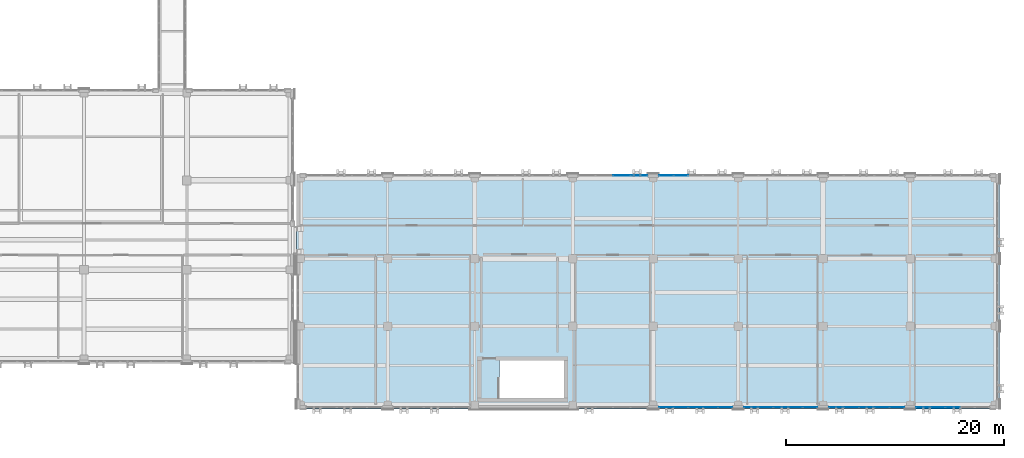
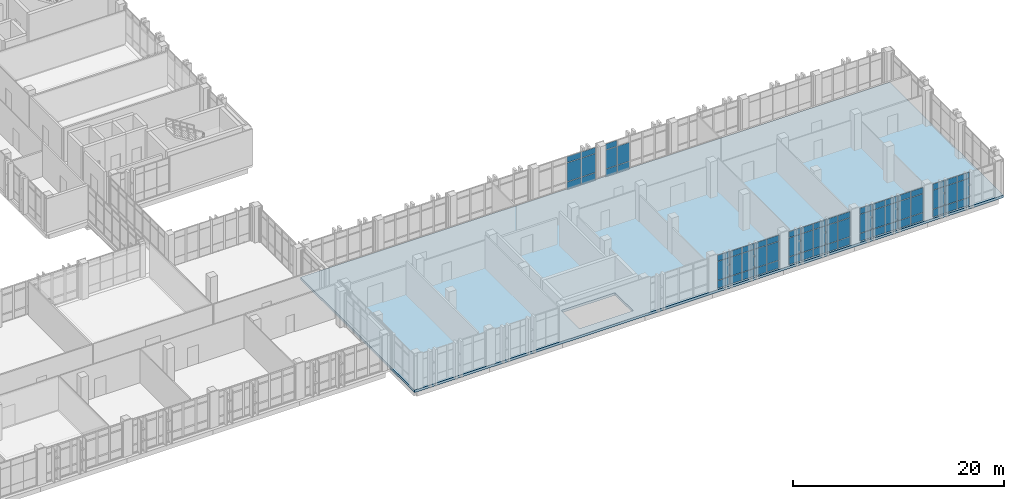
# One storey, part 150 of 193: 65 plates, 1 slab, 6 elements without a shape of their own.
"""IFC4 building model written with IfcOpenShell, lengths in metres."""

from ifc_helpers import new_model, si_unit, direction, frame, origin, origin_2d, place, context, subcontext, project, spatial, polyline, rectangle, outline, extrude, material, layer, layer_set, type_object, element, aggregate, save


model = new_model("IFC4")

# Units and contexts
model_context = context("Model", 3, precision=1e-05, world=origin(), true_north=direction((0.0, 1.0)))
body_context = subcontext(model_context, "Body", "Model", "MODEL_VIEW")
ifc_project = project(units=[si_unit("LENGTHUNIT", "METRE"), si_unit("AREAUNIT", "SQUARE_METRE"), si_unit("VOLUMEUNIT", "CUBIC_METRE"), si_unit("PLANEANGLEUNIT", "RADIAN"), si_unit("MASSUNIT", "GRAM", prefix="KILO")], contexts=[model_context])

# Site, building, storey
site_placement = place(None, origin())
site = spatial("IfcSite", under=ifc_project, at=site_placement, CompositionType="ELEMENT")
building_placement = place(site_placement, origin())
building = spatial("IfcBuilding", under=site, at=building_placement, Name="Qalavern Law Courts", CompositionType="ELEMENT")
storey_placement = place(building_placement, frame((0.0, 0.0, 10.199951171875)))
storey = spatial("IfcBuildingStorey", under=building, at=storey_placement, Name="L02", CompositionType="ELEMENT", Elevation=10.199951171875)

# Curtain wall, plates
ifc_material_1 = material(Name="Anodised aluminium and insulated glazing", Category="aluminium")
ifc_layer_1 = layer(ifc_material_1, 0.172119140625)
ifc_layer_set_1 = layer_set([ifc_layer_1], Name="Anodised aluminium and insulated glazing")
curtain_wall_type = type_object("IfcCurtainWallType", Name="ENV-CW-COURT", PredefinedType="USERDEFINED", material=ifc_layer_set_1)
curtain_wall_1_placement = place(storey_placement, origin())
curtain_wall_1 = element("IfcCurtainWall", 1, at=curtain_wall_1_placement, inside=storey, type_object=curtain_wall_type, Name="V6 unitised curtain wall L02 south 4", ObjectType="UNITISED CURTAIN WALL", PredefinedType="USERDEFINED")
ifc_material_2 = material(Name="Insulated low-E acoustic glazing", Category="glass")
ifc_layer_2 = layer(ifc_material_2, 0.028076171875)
ifc_layer_set_2 = layer_set([ifc_layer_2], Name="Insulated low-E acoustic glazing")
plate_type_1 = type_object("IfcPlateType", Name="ENV-CWP-28", PredefinedType="CURTAIN_PANEL", material=ifc_layer_set_2)
plate_1_placement = place(storey_placement, frame((135.39208984375, 1.155029296875, 0.048095703125), z_axis=(0.0, 0.0, 1.0), x_axis=(1.0, 0.0, 0.0)))
plate_1 = element("IfcPlate", 2, at=plate_1_placement, type_object=plate_type_1, Name="CW-03 panel 1.1", PredefinedType="CURTAIN_PANEL", context=body_context, shape_type="SweptSolid", body=[
    extrude(rectangle(XDim=1.2880859375, YDim=0.028076171875, at=origin_2d()), origin(), (0.0, 0.0, 1.0), 0.8779296875),
])
plate_2_placement = place(storey_placement, frame((135.39208984375, 1.155029296875, 0.97412109375), z_axis=(0.0, 0.0, 1.0), x_axis=(1.0, 0.0, 0.0)))
plate_2 = element("IfcPlate", 3, at=plate_2_placement, type_object=plate_type_1, Name="CW-03 panel 1.2", PredefinedType="CURTAIN_PANEL", context=body_context, shape_type="SweptSolid", body=[
    extrude(rectangle(XDim=1.2880859375, YDim=0.028076171875, at=origin_2d()), origin(), (0.0, 0.0, 1.0), 2.1669921875),
])
plate_3_placement = place(storey_placement, frame((135.39208984375, 1.155029296875, 3.18896484375), z_axis=(0.0, 0.0, 1.0), x_axis=(1.0, 0.0, 0.0)))
plate_3 = element("IfcPlate", 4, at=plate_3_placement, type_object=plate_type_1, Name="CW-03 panel 1.3", PredefinedType="CURTAIN_PANEL", context=body_context, shape_type="SweptSolid", body=[
    extrude(rectangle(XDim=1.2880859375, YDim=0.028076171875, at=origin_2d()), origin(), (0.0, 0.0, 1.0), 0.677978515625),
])
plate_4_placement = place(storey_placement, frame((136.739990234375, 1.155029296875, 0.048095703125), z_axis=(0.0, 0.0, 1.0), x_axis=(1.0, 0.0, 0.0)))
plate_4 = element("IfcPlate", 5, at=plate_4_placement, type_object=plate_type_1, Name="CW-03 panel 2.1", PredefinedType="CURTAIN_PANEL", context=body_context, shape_type="SweptSolid", body=[
    extrude(rectangle(XDim=1.31201171875, YDim=0.028076171875, at=origin_2d()), origin(), (0.0, 0.0, 1.0), 0.8779296875),
])
plate_5_placement = place(storey_placement, frame((136.739990234375, 1.155029296875, 0.97412109375), z_axis=(0.0, 0.0, 1.0), x_axis=(1.0, 0.0, 0.0)))
plate_5 = element("IfcPlate", 6, at=plate_5_placement, type_object=plate_type_1, Name="CW-03 panel 2.2", PredefinedType="CURTAIN_PANEL", context=body_context, shape_type="SweptSolid", body=[
    extrude(rectangle(XDim=1.31201171875, YDim=0.028076171875, at=origin_2d()), origin(), (0.0, 0.0, 1.0), 2.1669921875),
])
plate_6_placement = place(storey_placement, frame((136.739990234375, 1.155029296875, 3.18896484375), z_axis=(0.0, 0.0, 1.0), x_axis=(1.0, 0.0, 0.0)))
plate_6 = element("IfcPlate", 7, at=plate_6_placement, type_object=plate_type_1, Name="CW-03 panel 2.3", PredefinedType="CURTAIN_PANEL", context=body_context, shape_type="SweptSolid", body=[
    extrude(rectangle(XDim=1.31201171875, YDim=0.028076171875, at=origin_2d()), origin(), (0.0, 0.0, 1.0), 0.677978515625),
])
plate_7_placement = place(storey_placement, frame((138.10009765625, 1.155029296875, 0.048095703125), z_axis=(0.0, 0.0, 1.0), x_axis=(1.0, 0.0, 0.0)))
plate_7 = element("IfcPlate", 8, at=plate_7_placement, type_object=plate_type_1, Name="CW-03 panel 3.1", PredefinedType="CURTAIN_PANEL", context=body_context, shape_type="SweptSolid", body=[
    extrude(rectangle(XDim=1.31201171875, YDim=0.028076171875, at=origin_2d()), origin(), (0.0, 0.0, 1.0), 0.8779296875),
])
plate_8_placement = place(storey_placement, frame((138.10009765625, 1.155029296875, 0.97412109375), z_axis=(0.0, 0.0, 1.0), x_axis=(1.0, 0.0, 0.0)))
plate_8 = element("IfcPlate", 9, at=plate_8_placement, type_object=plate_type_1, Name="CW-03 panel 3.2", PredefinedType="CURTAIN_PANEL", context=body_context, shape_type="SweptSolid", body=[
    extrude(rectangle(XDim=1.31201171875, YDim=0.028076171875, at=origin_2d()), origin(), (0.0, 0.0, 1.0), 2.1669921875),
])
plate_9_placement = place(storey_placement, frame((138.10009765625, 1.155029296875, 3.18896484375), z_axis=(0.0, 0.0, 1.0), x_axis=(1.0, 0.0, 0.0)))
plate_9 = element("IfcPlate", 10, at=plate_9_placement, type_object=plate_type_1, Name="CW-03 panel 3.3", PredefinedType="CURTAIN_PANEL", context=body_context, shape_type="SweptSolid", body=[
    extrude(rectangle(XDim=1.31201171875, YDim=0.028076171875, at=origin_2d()), origin(), (0.0, 0.0, 1.0), 0.677978515625),
])
plate_10_placement = place(storey_placement, frame((139.4599609375, 1.155029296875, 0.048095703125), z_axis=(0.0, 0.0, 1.0), x_axis=(1.0, 0.0, 0.0)))
plate_10 = element("IfcPlate", 11, at=plate_10_placement, type_object=plate_type_1, Name="CW-03 panel 4.1", PredefinedType="CURTAIN_PANEL", context=body_context, shape_type="SweptSolid", body=[
    extrude(rectangle(XDim=1.31201171875, YDim=0.028076171875, at=origin_2d()), origin(), (0.0, 0.0, 1.0), 0.8779296875),
])
plate_11_placement = place(storey_placement, frame((139.4599609375, 1.155029296875, 0.97412109375), z_axis=(0.0, 0.0, 1.0), x_axis=(1.0, 0.0, 0.0)))
plate_11 = element("IfcPlate", 12, at=plate_11_placement, type_object=plate_type_1, Name="CW-03 panel 4.2", PredefinedType="CURTAIN_PANEL", context=body_context, shape_type="SweptSolid", body=[
    extrude(rectangle(XDim=1.31201171875, YDim=0.028076171875, at=origin_2d()), origin(), (0.0, 0.0, 1.0), 2.1669921875),
])
plate_12_placement = place(storey_placement, frame((139.4599609375, 1.155029296875, 3.18896484375), z_axis=(0.0, 0.0, 1.0), x_axis=(1.0, 0.0, 0.0)))
plate_12 = element("IfcPlate", 13, at=plate_12_placement, type_object=plate_type_1, Name="CW-03 panel 4.3", PredefinedType="CURTAIN_PANEL", context=body_context, shape_type="SweptSolid", body=[
    extrude(rectangle(XDim=1.31201171875, YDim=0.028076171875, at=origin_2d()), origin(), (0.0, 0.0, 1.0), 0.677978515625),
])
plate_13_placement = place(storey_placement, frame((140.80810546875, 1.155029296875, 0.048095703125), z_axis=(0.0, 0.0, 1.0), x_axis=(1.0, 0.0, 0.0)))
plate_13 = element("IfcPlate", 14, at=plate_13_placement, type_object=plate_type_1, Name="CW-03 panel 5.1", PredefinedType="CURTAIN_PANEL", context=body_context, shape_type="SweptSolid", body=[
    extrude(rectangle(XDim=1.2880859375, YDim=0.028076171875, at=origin_2d()), origin(), (0.0, 0.0, 1.0), 0.8779296875),
])
plate_14_placement = place(storey_placement, frame((140.80810546875, 1.155029296875, 0.97412109375), z_axis=(0.0, 0.0, 1.0), x_axis=(1.0, 0.0, 0.0)))
plate_14 = element("IfcPlate", 15, at=plate_14_placement, type_object=plate_type_1, Name="CW-03 panel 5.2", PredefinedType="CURTAIN_PANEL", context=body_context, shape_type="SweptSolid", body=[
    extrude(rectangle(XDim=1.2880859375, YDim=0.028076171875, at=origin_2d()), origin(), (0.0, 0.0, 1.0), 2.1669921875),
])
plate_15_placement = place(storey_placement, frame((140.80810546875, 1.155029296875, 3.18896484375), z_axis=(0.0, 0.0, 1.0), x_axis=(1.0, 0.0, 0.0)))
plate_15 = element("IfcPlate", 16, at=plate_15_placement, type_object=plate_type_1, Name="CW-03 panel 5.3", PredefinedType="CURTAIN_PANEL", context=body_context, shape_type="SweptSolid", body=[
    extrude(rectangle(XDim=1.2880859375, YDim=0.028076171875, at=origin_2d()), origin(), (0.0, 0.0, 1.0), 0.677978515625),
])
aggregate(curtain_wall_1, [plate_1, plate_2, plate_3, plate_4, plate_5, plate_6, plate_7, plate_8, plate_9, plate_10, plate_11, plate_12, plate_13, plate_14, plate_15])

curtain_wall_2_placement = place(storey_placement, origin())
curtain_wall_2 = element("IfcCurtainWall", 17, at=curtain_wall_2_placement, inside=storey, type_object=curtain_wall_type, Name="V6 unitised curtain wall L02 north 4", ObjectType="UNITISED CURTAIN WALL", PredefinedType="USERDEFINED")
plate_16_placement = place(storey_placement, frame((136.739990234375, 22.445068359375, 0.048095703125), z_axis=(0.0, 0.0, 1.0), x_axis=(-1.0, 0.0, 0.0)))
plate_16 = element("IfcPlate", 18, at=plate_16_placement, type_object=plate_type_1, Name="CW-03 panel 4.1", PredefinedType="CURTAIN_PANEL", context=body_context, shape_type="SweptSolid", body=[
    extrude(rectangle(XDim=1.31201171875, YDim=0.028076171875, at=origin_2d()), origin(), (0.0, 0.0, 1.0), 0.8779296875),
])
plate_17_placement = place(storey_placement, frame((136.739990234375, 22.445068359375, 0.97412109375), z_axis=(0.0, 0.0, 1.0), x_axis=(-1.0, 0.0, 0.0)))
plate_17 = element("IfcPlate", 19, at=plate_17_placement, type_object=plate_type_1, Name="CW-03 panel 4.2", PredefinedType="CURTAIN_PANEL", context=body_context, shape_type="SweptSolid", body=[
    extrude(rectangle(XDim=1.31201171875, YDim=0.028076171875, at=origin_2d()), origin(), (0.0, 0.0, 1.0), 2.1669921875),
])
plate_18_placement = place(storey_placement, frame((135.39208984375, 22.445068359375, 0.048095703125), z_axis=(0.0, 0.0, 1.0), x_axis=(-1.0, 0.0, 0.0)))
plate_18 = element("IfcPlate", 20, at=plate_18_placement, type_object=plate_type_1, Name="CW-03 panel 5.1", PredefinedType="CURTAIN_PANEL", context=body_context, shape_type="SweptSolid", body=[
    extrude(rectangle(XDim=1.2880859375, YDim=0.028076171875, at=origin_2d()), origin(), (0.0, 0.0, 1.0), 0.8779296875),
])
plate_19_placement = place(storey_placement, frame((135.39208984375, 22.445068359375, 0.97412109375), z_axis=(0.0, 0.0, 1.0), x_axis=(-1.0, 0.0, 0.0)))
plate_19 = element("IfcPlate", 21, at=plate_19_placement, type_object=plate_type_1, Name="CW-03 panel 5.2", PredefinedType="CURTAIN_PANEL", context=body_context, shape_type="SweptSolid", body=[
    extrude(rectangle(XDim=1.2880859375, YDim=0.028076171875, at=origin_2d()), origin(), (0.0, 0.0, 1.0), 2.1669921875),
])
plate_20_placement = place(storey_placement, frame((135.39208984375, 22.445068359375, 3.18896484375), z_axis=(0.0, 0.0, 1.0), x_axis=(-1.0, 0.0, 0.0)))
plate_20 = element("IfcPlate", 22, at=plate_20_placement, type_object=plate_type_1, Name="CW-03 panel 5.3", PredefinedType="CURTAIN_PANEL", context=body_context, shape_type="SweptSolid", body=[
    extrude(rectangle(XDim=1.2880859375, YDim=0.028076171875, at=origin_2d()), origin(), (0.0, 0.0, 1.0), 0.677978515625),
])
aggregate(curtain_wall_2, [plate_16, plate_17, plate_18, plate_19, plate_20])

curtain_wall_3_placement = place(storey_placement, origin())
curtain_wall_3 = element("IfcCurtainWall", 23, at=curtain_wall_3_placement, inside=storey, type_object=curtain_wall_type, Name="V6 unitised curtain wall L02 south 5", ObjectType="UNITISED CURTAIN WALL", PredefinedType="USERDEFINED")
ifc_layer_3 = layer(ifc_material_2, 0.031982421875)
ifc_layer_set_3 = layer_set([ifc_layer_3], Name="Insulated low-E acoustic glazing")
plate_type_2 = type_object("IfcPlateType", Name="ENV-CWP-32", PredefinedType="CURTAIN_PANEL", material=ifc_layer_set_3)
plate_21_placement = place(storey_placement, frame((143.19189453125, 1.155029296875, 0.048095703125), z_axis=(0.0, 0.0, 1.0), x_axis=(1.0, 0.0, 0.0)))
plate_21 = element("IfcPlate", 24, at=plate_21_placement, type_object=plate_type_2, Name="CW-03 panel 1.1", PredefinedType="CURTAIN_PANEL", context=body_context, shape_type="SweptSolid", body=[
    extrude(rectangle(XDim=1.2880859375, YDim=0.031982421875, at=origin_2d()), origin(), (0.0, 0.0, 1.0), 0.8779296875),
])
plate_22_placement = place(storey_placement, frame((143.19189453125, 1.155029296875, 0.97412109375), z_axis=(0.0, 0.0, 1.0), x_axis=(1.0, 0.0, 0.0)))
plate_22 = element("IfcPlate", 25, at=plate_22_placement, type_object=plate_type_2, Name="CW-03 panel 1.2", PredefinedType="CURTAIN_PANEL", context=body_context, shape_type="SweptSolid", body=[
    extrude(rectangle(XDim=1.2880859375, YDim=0.031982421875, at=origin_2d()), origin(), (0.0, 0.0, 1.0), 2.1669921875),
])
plate_23_placement = place(storey_placement, frame((143.19189453125, 1.155029296875, 3.18896484375), z_axis=(0.0, 0.0, 1.0), x_axis=(1.0, 0.0, 0.0)))
plate_23 = element("IfcPlate", 26, at=plate_23_placement, type_object=plate_type_2, Name="CW-03 panel 1.3", PredefinedType="CURTAIN_PANEL", context=body_context, shape_type="SweptSolid", body=[
    extrude(rectangle(XDim=1.2880859375, YDim=0.031982421875, at=origin_2d()), origin(), (0.0, 0.0, 1.0), 0.677978515625),
])
plate_24_placement = place(storey_placement, frame((144.5400390625, 1.155029296875, 0.048095703125), z_axis=(0.0, 0.0, 1.0), x_axis=(1.0, 0.0, 0.0)))
plate_24 = element("IfcPlate", 27, at=plate_24_placement, type_object=plate_type_2, Name="CW-03 panel 2.1", PredefinedType="CURTAIN_PANEL", context=body_context, shape_type="SweptSolid", body=[
    extrude(rectangle(XDim=1.31201171875, YDim=0.031982421875, at=origin_2d()), origin(), (0.0, 0.0, 1.0), 0.8779296875),
])
plate_25_placement = place(storey_placement, frame((144.5400390625, 1.155029296875, 0.97412109375), z_axis=(0.0, 0.0, 1.0), x_axis=(1.0, 0.0, 0.0)))
plate_25 = element("IfcPlate", 28, at=plate_25_placement, type_object=plate_type_2, Name="CW-03 panel 2.2", PredefinedType="CURTAIN_PANEL", context=body_context, shape_type="SweptSolid", body=[
    extrude(rectangle(XDim=1.31201171875, YDim=0.031982421875, at=origin_2d()), origin(), (0.0, 0.0, 1.0), 2.1669921875),
])
plate_26_placement = place(storey_placement, frame((144.5400390625, 1.155029296875, 3.18896484375), z_axis=(0.0, 0.0, 1.0), x_axis=(1.0, 0.0, 0.0)))
plate_26 = element("IfcPlate", 29, at=plate_26_placement, type_object=plate_type_2, Name="CW-03 panel 2.3", PredefinedType="CURTAIN_PANEL", context=body_context, shape_type="SweptSolid", body=[
    extrude(rectangle(XDim=1.31201171875, YDim=0.031982421875, at=origin_2d()), origin(), (0.0, 0.0, 1.0), 0.677978515625),
])
plate_27_placement = place(storey_placement, frame((145.89990234375, 1.155029296875, 0.048095703125), z_axis=(0.0, 0.0, 1.0), x_axis=(1.0, 0.0, 0.0)))
plate_27 = element("IfcPlate", 30, at=plate_27_placement, type_object=plate_type_2, Name="CW-03 panel 3.1", PredefinedType="CURTAIN_PANEL", context=body_context, shape_type="SweptSolid", body=[
    extrude(rectangle(XDim=1.31201171875, YDim=0.031982421875, at=origin_2d()), origin(), (0.0, 0.0, 1.0), 0.8779296875),
])
plate_28_placement = place(storey_placement, frame((145.89990234375, 1.155029296875, 0.97412109375), z_axis=(0.0, 0.0, 1.0), x_axis=(1.0, 0.0, 0.0)))
plate_28 = element("IfcPlate", 31, at=plate_28_placement, type_object=plate_type_2, Name="CW-03 panel 3.2", PredefinedType="CURTAIN_PANEL", context=body_context, shape_type="SweptSolid", body=[
    extrude(rectangle(XDim=1.31201171875, YDim=0.031982421875, at=origin_2d()), origin(), (0.0, 0.0, 1.0), 2.1669921875),
])
plate_29_placement = place(storey_placement, frame((145.89990234375, 1.155029296875, 3.18896484375), z_axis=(0.0, 0.0, 1.0), x_axis=(1.0, 0.0, 0.0)))
plate_29 = element("IfcPlate", 32, at=plate_29_placement, type_object=plate_type_2, Name="CW-03 panel 3.3", PredefinedType="CURTAIN_PANEL", context=body_context, shape_type="SweptSolid", body=[
    extrude(rectangle(XDim=1.31201171875, YDim=0.031982421875, at=origin_2d()), origin(), (0.0, 0.0, 1.0), 0.677978515625),
])
plate_30_placement = place(storey_placement, frame((147.260009765625, 1.155029296875, 0.048095703125), z_axis=(0.0, 0.0, 1.0), x_axis=(1.0, 0.0, 0.0)))
plate_30 = element("IfcPlate", 33, at=plate_30_placement, type_object=plate_type_2, Name="CW-03 panel 4.1", PredefinedType="CURTAIN_PANEL", context=body_context, shape_type="SweptSolid", body=[
    extrude(rectangle(XDim=1.31201171875, YDim=0.031982421875, at=origin_2d()), origin(), (0.0, 0.0, 1.0), 0.8779296875),
])
plate_31_placement = place(storey_placement, frame((147.260009765625, 1.155029296875, 0.97412109375), z_axis=(0.0, 0.0, 1.0), x_axis=(1.0, 0.0, 0.0)))
plate_31 = element("IfcPlate", 34, at=plate_31_placement, type_object=plate_type_2, Name="CW-03 panel 4.2", PredefinedType="CURTAIN_PANEL", context=body_context, shape_type="SweptSolid", body=[
    extrude(rectangle(XDim=1.31201171875, YDim=0.031982421875, at=origin_2d()), origin(), (0.0, 0.0, 1.0), 2.1669921875),
])
plate_32_placement = place(storey_placement, frame((147.260009765625, 1.155029296875, 3.18896484375), z_axis=(0.0, 0.0, 1.0), x_axis=(1.0, 0.0, 0.0)))
plate_32 = element("IfcPlate", 35, at=plate_32_placement, type_object=plate_type_2, Name="CW-03 panel 4.3", PredefinedType="CURTAIN_PANEL", context=body_context, shape_type="SweptSolid", body=[
    extrude(rectangle(XDim=1.31201171875, YDim=0.031982421875, at=origin_2d()), origin(), (0.0, 0.0, 1.0), 0.677978515625),
])
plate_33_placement = place(storey_placement, frame((148.60791015625, 1.155029296875, 0.048095703125), z_axis=(0.0, 0.0, 1.0), x_axis=(1.0, 0.0, 0.0)))
plate_33 = element("IfcPlate", 36, at=plate_33_placement, type_object=plate_type_2, Name="CW-03 panel 5.1", PredefinedType="CURTAIN_PANEL", context=body_context, shape_type="SweptSolid", body=[
    extrude(rectangle(XDim=1.2880859375, YDim=0.031982421875, at=origin_2d()), origin(), (0.0, 0.0, 1.0), 0.8779296875),
])
plate_34_placement = place(storey_placement, frame((148.60791015625, 1.155029296875, 0.97412109375), z_axis=(0.0, 0.0, 1.0), x_axis=(1.0, 0.0, 0.0)))
plate_34 = element("IfcPlate", 37, at=plate_34_placement, type_object=plate_type_2, Name="CW-03 panel 5.2", PredefinedType="CURTAIN_PANEL", context=body_context, shape_type="SweptSolid", body=[
    extrude(rectangle(XDim=1.2880859375, YDim=0.031982421875, at=origin_2d()), origin(), (0.0, 0.0, 1.0), 2.1669921875),
])
plate_35_placement = place(storey_placement, frame((148.60791015625, 1.155029296875, 3.18896484375), z_axis=(0.0, 0.0, 1.0), x_axis=(1.0, 0.0, 0.0)))
plate_35 = element("IfcPlate", 38, at=plate_35_placement, type_object=plate_type_2, Name="CW-03 panel 5.3", PredefinedType="CURTAIN_PANEL", context=body_context, shape_type="SweptSolid", body=[
    extrude(rectangle(XDim=1.2880859375, YDim=0.031982421875, at=origin_2d()), origin(), (0.0, 0.0, 1.0), 0.677978515625),
])
aggregate(curtain_wall_3, [plate_21, plate_22, plate_23, plate_24, plate_25, plate_26, plate_27, plate_28, plate_29, plate_30, plate_31, plate_32, plate_33, plate_34, plate_35])

curtain_wall_4_placement = place(storey_placement, origin())
curtain_wall_4 = element("IfcCurtainWall", 39, at=curtain_wall_4_placement, inside=storey, type_object=curtain_wall_type, Name="V6 unitised curtain wall L02 north 5", ObjectType="UNITISED CURTAIN WALL", PredefinedType="USERDEFINED")
plate_36_placement = place(storey_placement, frame((132.887939453125, 22.445068359375, 0.048095703125), z_axis=(0.0, 0.0, 1.0), x_axis=(-1.0, 0.0, 0.0)))
plate_36 = element("IfcPlate", 40, at=plate_36_placement, type_object=plate_type_2, Name="CW-03 panel 1.1", PredefinedType="CURTAIN_PANEL", context=body_context, shape_type="SweptSolid", body=[
    extrude(rectangle(XDim=1.528076171875, YDim=0.031982421875, at=origin_2d()), origin(), (0.0, 0.0, 1.0), 0.8779296875),
])
plate_37_placement = place(storey_placement, frame((132.887939453125, 22.445068359375, 0.97412109375), z_axis=(0.0, 0.0, 1.0), x_axis=(-1.0, 0.0, 0.0)))
plate_37 = element("IfcPlate", 41, at=plate_37_placement, type_object=plate_type_2, Name="CW-03 panel 1.2", PredefinedType="CURTAIN_PANEL", context=body_context, shape_type="SweptSolid", body=[
    extrude(rectangle(XDim=1.528076171875, YDim=0.031982421875, at=origin_2d()), origin(), (0.0, 0.0, 1.0), 2.1669921875),
])
plate_38_placement = place(storey_placement, frame((132.887939453125, 22.445068359375, 3.18896484375), z_axis=(0.0, 0.0, 1.0), x_axis=(-1.0, 0.0, 0.0)))
plate_38 = element("IfcPlate", 42, at=plate_38_placement, type_object=plate_type_2, Name="CW-03 panel 1.3", PredefinedType="CURTAIN_PANEL", context=body_context, shape_type="SweptSolid", body=[
    extrude(rectangle(XDim=1.528076171875, YDim=0.031982421875, at=origin_2d()), origin(), (0.0, 0.0, 1.0), 0.677978515625),
])
plate_39_placement = place(storey_placement, frame((131.300048828125, 22.445068359375, 0.048095703125), z_axis=(0.0, 0.0, 1.0), x_axis=(-1.0, 0.0, 0.0)))
plate_39 = element("IfcPlate", 43, at=plate_39_placement, type_object=plate_type_2, Name="CW-03 panel 2.1", PredefinedType="CURTAIN_PANEL", context=body_context, shape_type="SweptSolid", body=[
    extrude(rectangle(XDim=1.552001953125, YDim=0.031982421875, at=origin_2d()), origin(), (0.0, 0.0, 1.0), 0.8779296875),
])
plate_40_placement = place(storey_placement, frame((131.300048828125, 22.445068359375, 0.97412109375), z_axis=(0.0, 0.0, 1.0), x_axis=(-1.0, 0.0, 0.0)))
plate_40 = element("IfcPlate", 44, at=plate_40_placement, type_object=plate_type_2, Name="CW-03 panel 2.2", PredefinedType="CURTAIN_PANEL", context=body_context, shape_type="SweptSolid", body=[
    extrude(rectangle(XDim=1.552001953125, YDim=0.031982421875, at=origin_2d()), origin(), (0.0, 0.0, 1.0), 2.1669921875),
])
plate_41_placement = place(storey_placement, frame((131.300048828125, 22.445068359375, 3.18896484375), z_axis=(0.0, 0.0, 1.0), x_axis=(-1.0, 0.0, 0.0)))
plate_41 = element("IfcPlate", 45, at=plate_41_placement, type_object=plate_type_2, Name="CW-03 panel 2.3", PredefinedType="CURTAIN_PANEL", context=body_context, shape_type="SweptSolid", body=[
    extrude(rectangle(XDim=1.552001953125, YDim=0.031982421875, at=origin_2d()), origin(), (0.0, 0.0, 1.0), 0.677978515625),
])
aggregate(curtain_wall_4, [plate_36, plate_37, plate_38, plate_39, plate_40, plate_41])

curtain_wall_5_placement = place(storey_placement, origin())
curtain_wall_5 = element("IfcCurtainWall", 46, at=curtain_wall_5_placement, inside=storey, type_object=curtain_wall_type, Name="V6 unitised curtain wall L02 south 6", ObjectType="UNITISED CURTAIN WALL", PredefinedType="USERDEFINED")
ifc_layer_4 = layer(ifc_material_2, 0.035888671875)
ifc_layer_set_4 = layer_set([ifc_layer_4], Name="Insulated low-E acoustic glazing")
plate_type_3 = type_object("IfcPlateType", Name="ENV-CWP-36", PredefinedType="CURTAIN_PANEL", material=ifc_layer_set_4)
plate_42_placement = place(storey_placement, frame((151.011962890625, 1.155029296875, 0.048095703125), z_axis=(0.0, 0.0, 1.0), x_axis=(1.0, 0.0, 0.0)))
plate_42 = element("IfcPlate", 47, at=plate_42_placement, type_object=plate_type_3, Name="CW-03 panel 1.1", PredefinedType="CURTAIN_PANEL", context=body_context, shape_type="SweptSolid", body=[
    extrude(rectangle(XDim=1.327880859375, YDim=0.035888671875, at=origin_2d()), origin(), (0.0, 0.0, 1.0), 0.8779296875),
])
plate_43_placement = place(storey_placement, frame((151.011962890625, 1.155029296875, 0.97412109375), z_axis=(0.0, 0.0, 1.0), x_axis=(1.0, 0.0, 0.0)))
plate_43 = element("IfcPlate", 48, at=plate_43_placement, type_object=plate_type_3, Name="CW-03 panel 1.2", PredefinedType="CURTAIN_PANEL", context=body_context, shape_type="SweptSolid", body=[
    extrude(rectangle(XDim=1.327880859375, YDim=0.035888671875, at=origin_2d()), origin(), (0.0, 0.0, 1.0), 2.1669921875),
])
plate_44_placement = place(storey_placement, frame((151.011962890625, 1.155029296875, 3.18896484375), z_axis=(0.0, 0.0, 1.0), x_axis=(1.0, 0.0, 0.0)))
plate_44 = element("IfcPlate", 49, at=plate_44_placement, type_object=plate_type_3, Name="CW-03 panel 1.3", PredefinedType="CURTAIN_PANEL", context=body_context, shape_type="SweptSolid", body=[
    extrude(rectangle(XDim=1.327880859375, YDim=0.035888671875, at=origin_2d()), origin(), (0.0, 0.0, 1.0), 0.677978515625),
])
plate_45_placement = place(storey_placement, frame((152.39990234375, 1.155029296875, 0.048095703125), z_axis=(0.0, 0.0, 1.0), x_axis=(1.0, 0.0, 0.0)))
plate_45 = element("IfcPlate", 50, at=plate_45_placement, type_object=plate_type_3, Name="CW-03 panel 2.1", PredefinedType="CURTAIN_PANEL", context=body_context, shape_type="SweptSolid", body=[
    extrude(rectangle(XDim=1.35205078125, YDim=0.035888671875, at=origin_2d()), origin(), (0.0, 0.0, 1.0), 0.8779296875),
])
plate_46_placement = place(storey_placement, frame((152.39990234375, 1.155029296875, 0.97412109375), z_axis=(0.0, 0.0, 1.0), x_axis=(1.0, 0.0, 0.0)))
plate_46 = element("IfcPlate", 51, at=plate_46_placement, type_object=plate_type_3, Name="CW-03 panel 2.2", PredefinedType="CURTAIN_PANEL", context=body_context, shape_type="SweptSolid", body=[
    extrude(rectangle(XDim=1.35205078125, YDim=0.035888671875, at=origin_2d()), origin(), (0.0, 0.0, 1.0), 2.1669921875),
])
plate_47_placement = place(storey_placement, frame((152.39990234375, 1.155029296875, 3.18896484375), z_axis=(0.0, 0.0, 1.0), x_axis=(1.0, 0.0, 0.0)))
plate_47 = element("IfcPlate", 52, at=plate_47_placement, type_object=plate_type_3, Name="CW-03 panel 2.3", PredefinedType="CURTAIN_PANEL", context=body_context, shape_type="SweptSolid", body=[
    extrude(rectangle(XDim=1.35205078125, YDim=0.035888671875, at=origin_2d()), origin(), (0.0, 0.0, 1.0), 0.677978515625),
])
plate_48_placement = place(storey_placement, frame((153.800048828125, 1.155029296875, 0.048095703125), z_axis=(0.0, 0.0, 1.0), x_axis=(1.0, 0.0, 0.0)))
plate_48 = element("IfcPlate", 53, at=plate_48_placement, type_object=plate_type_3, Name="CW-03 panel 3.1", PredefinedType="CURTAIN_PANEL", context=body_context, shape_type="SweptSolid", body=[
    extrude(rectangle(XDim=1.35205078125, YDim=0.035888671875, at=origin_2d()), origin(), (0.0, 0.0, 1.0), 0.8779296875),
])
plate_49_placement = place(storey_placement, frame((153.800048828125, 1.155029296875, 0.97412109375), z_axis=(0.0, 0.0, 1.0), x_axis=(1.0, 0.0, 0.0)))
plate_49 = element("IfcPlate", 54, at=plate_49_placement, type_object=plate_type_3, Name="CW-03 panel 3.2", PredefinedType="CURTAIN_PANEL", context=body_context, shape_type="SweptSolid", body=[
    extrude(rectangle(XDim=1.35205078125, YDim=0.035888671875, at=origin_2d()), origin(), (0.0, 0.0, 1.0), 2.1669921875),
])
plate_50_placement = place(storey_placement, frame((153.800048828125, 1.155029296875, 3.18896484375), z_axis=(0.0, 0.0, 1.0), x_axis=(1.0, 0.0, 0.0)))
plate_50 = element("IfcPlate", 55, at=plate_50_placement, type_object=plate_type_3, Name="CW-03 panel 3.3", PredefinedType="CURTAIN_PANEL", context=body_context, shape_type="SweptSolid", body=[
    extrude(rectangle(XDim=1.35205078125, YDim=0.035888671875, at=origin_2d()), origin(), (0.0, 0.0, 1.0), 0.677978515625),
])
plate_51_placement = place(storey_placement, frame((155.199951171875, 1.155029296875, 0.048095703125), z_axis=(0.0, 0.0, 1.0), x_axis=(1.0, 0.0, 0.0)))
plate_51 = element("IfcPlate", 56, at=plate_51_placement, type_object=plate_type_3, Name="CW-03 panel 4.1", PredefinedType="CURTAIN_PANEL", context=body_context, shape_type="SweptSolid", body=[
    extrude(rectangle(XDim=1.35205078125, YDim=0.035888671875, at=origin_2d()), origin(), (0.0, 0.0, 1.0), 0.8779296875),
])
plate_52_placement = place(storey_placement, frame((155.199951171875, 1.155029296875, 0.97412109375), z_axis=(0.0, 0.0, 1.0), x_axis=(1.0, 0.0, 0.0)))
plate_52 = element("IfcPlate", 57, at=plate_52_placement, type_object=plate_type_3, Name="CW-03 panel 4.2", PredefinedType="CURTAIN_PANEL", context=body_context, shape_type="SweptSolid", body=[
    extrude(rectangle(XDim=1.35205078125, YDim=0.035888671875, at=origin_2d()), origin(), (0.0, 0.0, 1.0), 2.1669921875),
])
plate_53_placement = place(storey_placement, frame((155.199951171875, 1.155029296875, 3.18896484375), z_axis=(0.0, 0.0, 1.0), x_axis=(1.0, 0.0, 0.0)))
plate_53 = element("IfcPlate", 58, at=plate_53_placement, type_object=plate_type_3, Name="CW-03 panel 4.3", PredefinedType="CURTAIN_PANEL", context=body_context, shape_type="SweptSolid", body=[
    extrude(rectangle(XDim=1.35205078125, YDim=0.035888671875, at=origin_2d()), origin(), (0.0, 0.0, 1.0), 0.677978515625),
])
plate_54_placement = place(storey_placement, frame((156.587890625, 1.155029296875, 0.048095703125), z_axis=(0.0, 0.0, 1.0), x_axis=(1.0, 0.0, 0.0)))
plate_54 = element("IfcPlate", 59, at=plate_54_placement, type_object=plate_type_3, Name="CW-03 panel 5.1", PredefinedType="CURTAIN_PANEL", context=body_context, shape_type="SweptSolid", body=[
    extrude(rectangle(XDim=1.327880859375, YDim=0.035888671875, at=origin_2d()), origin(), (0.0, 0.0, 1.0), 0.8779296875),
])
plate_55_placement = place(storey_placement, frame((156.587890625, 1.155029296875, 0.97412109375), z_axis=(0.0, 0.0, 1.0), x_axis=(1.0, 0.0, 0.0)))
plate_55 = element("IfcPlate", 60, at=plate_55_placement, type_object=plate_type_3, Name="CW-03 panel 5.2", PredefinedType="CURTAIN_PANEL", context=body_context, shape_type="SweptSolid", body=[
    extrude(rectangle(XDim=1.327880859375, YDim=0.035888671875, at=origin_2d()), origin(), (0.0, 0.0, 1.0), 2.1669921875),
])
plate_56_placement = place(storey_placement, frame((156.587890625, 1.155029296875, 3.18896484375), z_axis=(0.0, 0.0, 1.0), x_axis=(1.0, 0.0, 0.0)))
plate_56 = element("IfcPlate", 61, at=plate_56_placement, type_object=plate_type_3, Name="CW-03 panel 5.3", PredefinedType="CURTAIN_PANEL", context=body_context, shape_type="SweptSolid", body=[
    extrude(rectangle(XDim=1.327880859375, YDim=0.035888671875, at=origin_2d()), origin(), (0.0, 0.0, 1.0), 0.677978515625),
])
aggregate(curtain_wall_5, [plate_42, plate_43, plate_44, plate_45, plate_46, plate_47, plate_48, plate_49, plate_50, plate_51, plate_52, plate_53, plate_54, plate_55, plate_56])

curtain_wall_6_placement = place(storey_placement, origin())
curtain_wall_6 = element("IfcCurtainWall", 62, at=curtain_wall_6_placement, inside=storey, type_object=curtain_wall_type, Name="V6 unitised curtain wall L02 south 7", ObjectType="UNITISED CURTAIN WALL", PredefinedType="USERDEFINED")
ifc_layer_5 = layer(ifc_material_2, 0.0400390625)
ifc_layer_set_5 = layer_set([ifc_layer_5], Name="Insulated low-E acoustic glazing")
plate_type_4 = type_object("IfcPlateType", Name="ENV-CWP-40", PredefinedType="CURTAIN_PANEL", material=ifc_layer_set_5)
plate_57_placement = place(storey_placement, frame((158.991943359375, 1.155029296875, 0.048095703125), z_axis=(0.0, 0.0, 1.0), x_axis=(1.0, 0.0, 0.0)))
plate_57 = element("IfcPlate", 63, at=plate_57_placement, type_object=plate_type_4, Name="CW-03 panel 1.1", PredefinedType="CURTAIN_PANEL", context=body_context, shape_type="SweptSolid", body=[
    extrude(rectangle(XDim=1.2880859375, YDim=0.0400390625, at=origin_2d()), origin(), (0.0, 0.0, 1.0), 0.8779296875),
])
plate_58_placement = place(storey_placement, frame((158.991943359375, 1.155029296875, 0.97412109375), z_axis=(0.0, 0.0, 1.0), x_axis=(1.0, 0.0, 0.0)))
plate_58 = element("IfcPlate", 64, at=plate_58_placement, type_object=plate_type_4, Name="CW-03 panel 1.2", PredefinedType="CURTAIN_PANEL", context=body_context, shape_type="SweptSolid", body=[
    extrude(rectangle(XDim=1.2880859375, YDim=0.0400390625, at=origin_2d()), origin(), (0.0, 0.0, 1.0), 2.1669921875),
])
plate_59_placement = place(storey_placement, frame((158.991943359375, 1.155029296875, 3.18896484375), z_axis=(0.0, 0.0, 1.0), x_axis=(1.0, 0.0, 0.0)))
plate_59 = element("IfcPlate", 65, at=plate_59_placement, type_object=plate_type_4, Name="CW-03 panel 1.3", PredefinedType="CURTAIN_PANEL", context=body_context, shape_type="SweptSolid", body=[
    extrude(rectangle(XDim=1.2880859375, YDim=0.0400390625, at=origin_2d()), origin(), (0.0, 0.0, 1.0), 0.677978515625),
])
plate_60_placement = place(storey_placement, frame((160.340087890625, 1.155029296875, 0.048095703125), z_axis=(0.0, 0.0, 1.0), x_axis=(1.0, 0.0, 0.0)))
plate_60 = element("IfcPlate", 66, at=plate_60_placement, type_object=plate_type_4, Name="CW-03 panel 2.1", PredefinedType="CURTAIN_PANEL", context=body_context, shape_type="SweptSolid", body=[
    extrude(rectangle(XDim=1.31201171875, YDim=0.0400390625, at=origin_2d()), origin(), (0.0, 0.0, 1.0), 0.8779296875),
])
plate_61_placement = place(storey_placement, frame((160.340087890625, 1.155029296875, 0.97412109375), z_axis=(0.0, 0.0, 1.0), x_axis=(1.0, 0.0, 0.0)))
plate_61 = element("IfcPlate", 67, at=plate_61_placement, type_object=plate_type_4, Name="CW-03 panel 2.2", PredefinedType="CURTAIN_PANEL", context=body_context, shape_type="SweptSolid", body=[
    extrude(rectangle(XDim=1.31201171875, YDim=0.0400390625, at=origin_2d()), origin(), (0.0, 0.0, 1.0), 2.1669921875),
])
plate_62_placement = place(storey_placement, frame((160.340087890625, 1.155029296875, 3.18896484375), z_axis=(0.0, 0.0, 1.0), x_axis=(1.0, 0.0, 0.0)))
plate_62 = element("IfcPlate", 68, at=plate_62_placement, type_object=plate_type_4, Name="CW-03 panel 2.3", PredefinedType="CURTAIN_PANEL", context=body_context, shape_type="SweptSolid", body=[
    extrude(rectangle(XDim=1.31201171875, YDim=0.0400390625, at=origin_2d()), origin(), (0.0, 0.0, 1.0), 0.677978515625),
])
plate_63_placement = place(storey_placement, frame((161.699951171875, 1.155029296875, 0.048095703125), z_axis=(0.0, 0.0, 1.0), x_axis=(1.0, 0.0, 0.0)))
plate_63 = element("IfcPlate", 69, at=plate_63_placement, type_object=plate_type_4, Name="CW-03 panel 3.1", PredefinedType="CURTAIN_PANEL", context=body_context, shape_type="SweptSolid", body=[
    extrude(rectangle(XDim=1.31201171875, YDim=0.0400390625, at=origin_2d()), origin(), (0.0, 0.0, 1.0), 0.8779296875),
])
plate_64_placement = place(storey_placement, frame((161.699951171875, 1.155029296875, 0.97412109375), z_axis=(0.0, 0.0, 1.0), x_axis=(1.0, 0.0, 0.0)))
plate_64 = element("IfcPlate", 70, at=plate_64_placement, type_object=plate_type_4, Name="CW-03 panel 3.2", PredefinedType="CURTAIN_PANEL", context=body_context, shape_type="SweptSolid", body=[
    extrude(rectangle(XDim=1.31201171875, YDim=0.0400390625, at=origin_2d()), origin(), (0.0, 0.0, 1.0), 2.1669921875),
])
plate_65_placement = place(storey_placement, frame((161.699951171875, 1.155029296875, 3.18896484375), z_axis=(0.0, 0.0, 1.0), x_axis=(1.0, 0.0, 0.0)))
plate_65 = element("IfcPlate", 71, at=plate_65_placement, type_object=plate_type_4, Name="CW-03 panel 3.3", PredefinedType="CURTAIN_PANEL", context=body_context, shape_type="SweptSolid", body=[
    extrude(rectangle(XDim=1.31201171875, YDim=0.0400390625, at=origin_2d()), origin(), (0.0, 0.0, 1.0), 0.677978515625),
])
aggregate(curtain_wall_6, [plate_57, plate_58, plate_59, plate_60, plate_61, plate_62, plate_63, plate_64, plate_65])

# Slab
ifc_material_3 = material(Name="Concrete C40/50", Category="concrete")
ifc_layer_6 = layer(ifc_material_3, 0.2900390625)
ifc_layer_set_6 = layer_set([ifc_layer_6], Name="Concrete C40/50")
slab_type = type_object("IfcSlabType", Name="STR-SLB-L02-290", PredefinedType="FLOOR", material=ifc_layer_set_6)
slab_placement = place(storey_placement, frame((0.0, 0.0, -0.2900390625)))
element("IfcSlab", 72, at=slab_placement, inside=storey, type_object=slab_type, Name="V6 floor slab L02", PredefinedType="FLOOR", context=body_context, shape_type="SweptSolid", body=[
    extrude(outline(polyline([(101.419921875, 1.0), (166.0, 1.0), (166.0, 22.60009765625), (101.419921875, 22.60009765625), (101.419921875, 1.0)]), holes=[polyline([(120.090087890625, 2.0), (126.0, 2.0), (126.0, 5.449951171875), (120.090087890625, 5.449951171875), (120.090087890625, 2.0)])]), origin(), (0.0, 0.0, 1.0), 0.2900390625),
])

save(model, "model.ifc")
